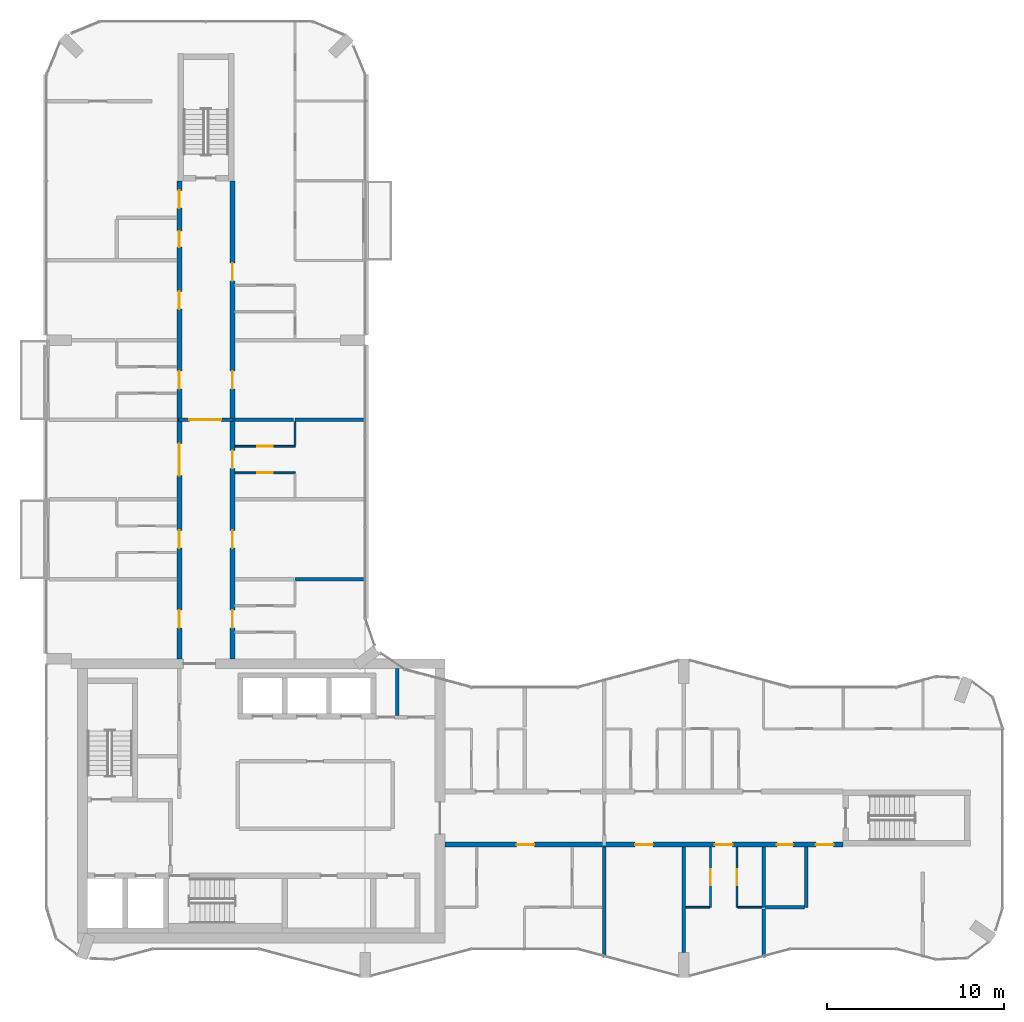
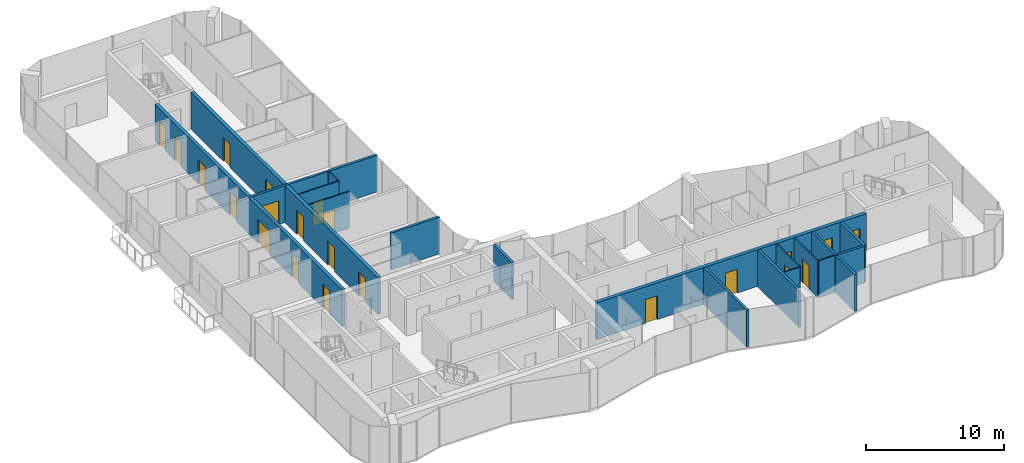
# One storey, part 11 of 16: 22 doors, 21 walls, 22 openings.
"""IFC4 building model written with IfcOpenShell, lengths in metres."""

import ifcopenshell
import ifcopenshell.guid

model = None  # the IFC model being written
_history = None  # IfcOwnerHistory: only IFC2X3 demands one
_inside = {}  # id of a spatial element -> (the spatial element, [elements in it])
_under = {}  # id of a project, library or spatial element -> (it, [spatial elements below it])
_declared = {}  # id of a project -> (the project, [libraries it declares])
_typed = {}  # id of a type object -> (the type object, [elements of that type])
_made_of = {}  # id of a material, layer set ... -> (it, [elements and type objects made of it])


def new_model(schema):
    """Start an empty IFC model of exactly this schema.

    Asked for "IFC4X3", IfcOpenShell would pick the latest addendum, in which some entities
    have other attributes; the version numbers below select the first issue.
    IFC2X3 requires an IfcOwnerHistory on every rooted entity: one is made here for all.
    """
    global model, _history
    if schema == "IFC4X3":
        model = ifcopenshell.file(schema_version=(4, 3, 0, 0))
    else:
        model = ifcopenshell.file(schema=schema)
    _inside.clear()
    _under.clear()
    _declared.clear()
    _typed.clear()
    _made_of.clear()
    _history = None
    if model.schema == "IFC2X3":
        org = make("IfcOrganization", Name="unknown")
        user = make(
            "IfcPersonAndOrganization",
            ThePerson=make("IfcPerson", FamilyName="unknown"),
            TheOrganization=org,
        )
        app = make(
            "IfcApplication",
            ApplicationDeveloper=org,
            Version="unknown",
            ApplicationFullName="unknown",
            ApplicationIdentifier="unknown",
        )
        _history = make(
            "IfcOwnerHistory",
            OwningUser=user,
            OwningApplication=app,
            ChangeAction="ADDED",
            CreationDate=0,
        )
    return model


def make(cls, **values):
    """One entity of the class cls with the attributes given. An attribute that is None is left unset."""
    return model.create_entity(
        cls, **{name: value for name, value in values.items() if value is not None}
    )


def rooted(cls, **values):
    """An entity with a GlobalId (a new one), such as an element, a storey or a relation."""
    return make(cls, GlobalId=ifcopenshell.guid.new(), OwnerHistory=_history, **values)


def si_unit(unit_type, name, prefix=None):
    """IfcSIUnit, for example si_unit("LENGTHUNIT", "METRE", prefix="MILLI")."""
    return make("IfcSIUnit", UnitType=unit_type, Prefix=prefix, Name=name)


def assignment(units):
    """IfcUnitAssignment: the units of a project."""
    return None if units is None else make("IfcUnitAssignment", Units=units)


def point(xyz):
    """IfcCartesianPoint."""
    return None if xyz is None else make("IfcCartesianPoint", Coordinates=xyz)


def direction(xyz):
    """IfcDirection."""
    return None if xyz is None else make("IfcDirection", DirectionRatios=xyz)


def frame(location, z_axis=None, x_axis=None):
    """IfcAxis2Placement3D, a coordinate frame: its origin and axes. An axis left out is left unset."""
    return make(
        "IfcAxis2Placement3D",
        Location=point(location),
        Axis=direction(z_axis),
        RefDirection=direction(x_axis),
    )


def frame_2d(location, x_axis=None):
    """IfcAxis2Placement2D, a coordinate frame in the plane: its origin and x axis."""
    return make(
        "IfcAxis2Placement2D", Location=point(location), RefDirection=direction(x_axis)
    )


def origin():
    """The frame at (0, 0, 0) with its axes left unset."""
    return frame((0.0, 0.0, 0.0))


def place(relative_to, where):
    """IfcLocalPlacement: puts the frame where relative to a parent placement (None: the world)."""
    return make(
        "IfcLocalPlacement", PlacementRelTo=relative_to, RelativePlacement=where
    )


def context(
    kind, dimensions, precision=None, world=None, true_north=None, identifier=None
):
    """IfcGeometricRepresentationContext, for example the 3D "Model" context."""
    return make(
        "IfcGeometricRepresentationContext",
        ContextIdentifier=identifier,
        ContextType=kind,
        CoordinateSpaceDimension=dimensions,
        Precision=precision,
        WorldCoordinateSystem=world,
        TrueNorth=true_north,
    )


def subcontext(parent, identifier, kind, view, scale=None):
    """IfcGeometricRepresentationSubContext, for example "Body" below "Model"."""
    return make(
        "IfcGeometricRepresentationSubContext",
        ContextIdentifier=identifier,
        ContextType=kind,
        ParentContext=parent,
        TargetScale=scale,
        TargetView=view,
    )


def project(units=None, contexts=None):
    """IfcProject with its units and contexts."""
    return rooted(
        "IfcProject",
        Name="project",
        RepresentationContexts=contexts,
        UnitsInContext=assignment(units),
    )


def spatial(cls, under=None, at=None, **own):
    """A site, building, storey or space (cls), placed at a placement, below another one or the project."""
    s = rooted(cls, ObjectPlacement=at, **own)
    if under is not None:
        _under.setdefault(under.id(), (under, []))[1].append(s)
    return s


def profile(cls, at=None, kind="AREA", **sizes):
    """A parametric profile (cls). Its sizes go by their IFC names, for example OverallWidth=200.0."""
    return make(cls, ProfileType=kind, Position=at, **sizes)


def rectangle(**sizes):
    """IfcRectangleProfileDef."""
    return profile("IfcRectangleProfileDef", **sizes)


def extrude(swept, where, along, depth):
    """IfcExtrudedAreaSolid: the profile swept, set in the frame where, extruded along a direction by depth."""
    return make(
        "IfcExtrudedAreaSolid",
        SweptArea=swept,
        Position=where,
        ExtrudedDirection=direction(along),
        Depth=depth,
    )


def shape(context_of_items, identifier, shape_type, items):
    """IfcShapeRepresentation: the items that make up one representation, for example the "Body"."""
    return make(
        "IfcShapeRepresentation",
        ContextOfItems=context_of_items,
        RepresentationIdentifier=identifier,
        RepresentationType=shape_type,
        Items=items,
    )


def material(Name=None, Category=None):
    """IfcMaterial."""
    return make("IfcMaterial", Name=Name, Category=Category)


def layer(
    of_material, thickness, ventilated=None, Name=None, Category=None, Priority=None
):
    """IfcMaterialLayer: one layer of a wall or slab, of a material (None: an air gap)."""
    return make(
        "IfcMaterialLayer",
        Material=of_material,
        LayerThickness=thickness,
        IsVentilated=ventilated,
        Name=Name,
        Category=Category,
        Priority=Priority,
    )


def layer_set(layers, Name=None):
    """IfcMaterialLayerSet."""
    return make("IfcMaterialLayerSet", MaterialLayers=layers, LayerSetName=Name)


def made_of(thing, what):
    """Note that an element or type object is made of a material, layer set ...; save() writes the relation."""
    if what is not None:
        _made_of.setdefault(what.id(), (what, []))[1].append(thing)
    return thing


def type_object(cls, material=None, **own):
    """A type object (cls), such as IfcWallType, which elements share."""
    return made_of(rooted(cls, **own), material)


def element(
    cls,
    number,
    at=None,
    inside=None,
    cuts=None,
    type_object=None,
    material=None,
    context=None,
    identifier="Body",
    shape_type=None,
    held_by="IfcProductDefinitionShape",
    body=None,
    shapes=None,
    **own,
):
    """One element of the class cls, such as IfcWall. Its Tag is "e" and its number.

    at: its placement. inside: the storey or other place that contains it. cuts: it is an
    opening in that element (IfcRelVoidsElement). A single representation is given by context,
    identifier, shape_type and body (its items); several are given by shapes. held_by: the class
    of the entity that holds the representations. save() writes the other relations.
    """
    e = rooted(cls, Tag="e%d" % number, ObjectPlacement=at, **own)
    if body is not None:
        shapes = [shape(context, identifier, shape_type, body)]
    if shapes is not None:
        e.Representation = make(held_by, Representations=shapes)
    if inside is not None:
        _inside.setdefault(inside.id(), (inside, []))[1].append(e)
    if cuts is not None:
        rooted(
            "IfcRelVoidsElement", RelatingBuildingElement=cuts, RelatedOpeningElement=e
        )
    if type_object is not None:
        _typed.setdefault(type_object.id(), (type_object, []))[1].append(e)
    return made_of(e, material)


def fill(opening, filler):
    """IfcRelFillsElement: the door or window that sits in an opening."""
    return rooted(
        "IfcRelFillsElement",
        RelatingOpeningElement=opening,
        RelatedBuildingElement=filler,
    )


def aggregate(whole, parts):
    """IfcRelAggregates: a whole, such as a stair, and the parts it consists of."""
    return rooted("IfcRelAggregates", RelatingObject=whole, RelatedObjects=parts)


def save(model, path):
    """Write the relations noted so far, then the file.

    IfcRelAggregates (storeys below a building ...), IfcRelContainedInSpatialStructure (elements
    in a storey), IfcRelDefinesByType, IfcRelAssociatesMaterial and IfcRelDeclares: one each for
    every whole, place, type object, material and project.
    """
    for whole, parts in _under.values():
        aggregate(whole, parts)
    for where, things in _inside.values():
        rooted(
            "IfcRelContainedInSpatialStructure",
            RelatedElements=things,
            RelatingStructure=where,
        )
    for kind, things in _typed.values():
        rooted("IfcRelDefinesByType", RelatedObjects=things, RelatingType=kind)
    for what, things in _made_of.values():
        rooted("IfcRelAssociatesMaterial", RelatedObjects=things, RelatingMaterial=what)
    for by, libraries in _declared.values():
        rooted("IfcRelDeclares", RelatingContext=by, RelatedDefinitions=libraries)
    model.write(path)


model = new_model("IFC4")

# Units and contexts
model_context = context("Model", 3, precision=1e-05, world=origin(), true_north=direction((0.0, 1.0)))
body_context = subcontext(model_context, "Body", "Model", "MODEL_VIEW")
ifc_project = project(units=[si_unit("LENGTHUNIT", "METRE"), si_unit("AREAUNIT", "SQUARE_METRE"), si_unit("VOLUMEUNIT", "CUBIC_METRE"), si_unit("PLANEANGLEUNIT", "RADIAN"), si_unit("MASSUNIT", "GRAM", prefix="KILO")], contexts=[model_context])

# Site, building, storey
site_placement = place(None, origin())
site = spatial("IfcSite", under=ifc_project, at=site_placement, CompositionType="ELEMENT")
building_placement = place(site_placement, origin())
building = spatial("IfcBuilding", under=site, at=building_placement, Name="Plateau Cross Towers", CompositionType="ELEMENT")
storey_placement = place(building_placement, frame((0.0, 0.0, 211.89990234375)))
storey = spatial("IfcBuildingStorey", under=building, at=storey_placement, Name="L55", CompositionType="ELEMENT", Elevation=211.89990234375)

# Wall
ifc_material_1 = material(Name="Concrete block, plastered both sides", Category="concrete")
ifc_layer_1 = layer(ifc_material_1, 0.199951171875)
ifc_layer_set_1 = layer_set([ifc_layer_1], Name="Concrete block, plastered both sides")
wall_type_1 = type_object("IfcWallType", Name="Core partition 200", PredefinedType="PARTITIONING", material=ifc_layer_set_1)
wall_1_placement = place(storey_placement, frame((19.800048828125, 14.800048828125, 0.0), z_axis=(0.0, 0.0, 1.0), x_axis=(0.0, 1.0, 0.0)))
element("IfcWall", 1, at=wall_1_placement, inside=storey, type_object=wall_type_1, Name="Core partition", PredefinedType="PARTITIONING", context=body_context, shape_type="SweptSolid", body=[
    extrude(rectangle(XDim=2.64990234375, YDim=0.199951171875, at=frame_2d((1.324951171875, 0.0))), origin(), (0.0, 0.0, 1.0), 3.25),
])

# Wall, openings, doors
ifc_material_2 = material(Name="Concrete C60/75", Category="concrete")
ifc_layer_2 = layer(ifc_material_2, 0.27490234375)
ifc_layer_set_2 = layer_set([ifc_layer_2], Name="Concrete C60/75")
wall_type_2 = type_object("IfcWallType", Name="Corridor wall 275", PredefinedType="SHEAR", material=ifc_layer_set_2)
wall_2_placement = place(storey_placement, frame((22.5, 7.5, 0.0), z_axis=(0.0, 0.0, 1.0), x_axis=(1.0, 0.0, 0.0)))
wall_2 = element("IfcWall", 2, at=wall_2_placement, inside=storey, type_object=wall_type_2, Name="A-cw-S1@L55", PredefinedType="SHEAR", context=body_context, shape_type="SweptSolid", body=[
    extrude(rectangle(XDim=22.5, YDim=0.27490234375, at=frame_2d((11.25, 0.0))), origin(), (0.0, 0.0, 1.0), 3.25),
])
opening_1_placement = place(wall_2_placement, frame((4.050048828125, 0.0, 0.0)))
opening_1 = element("IfcOpeningElement", 3, at=opening_1_placement, cuts=wall_2, Name="Opening 55-01", PredefinedType="OPENING", context=body_context, shape_type="SweptSolid", body=[
    extrude(rectangle(XDim=1.0, YDim=2.10009765625, at=frame_2d((0.5, 1.050048828125))), frame((0.0, 0.1474609375, 0.0), z_axis=(0.0, -1.0, 0.0), x_axis=(1.0, 0.0, 0.0)), (0.0, 0.0, 1.0), 0.294921875),
])
opening_2_placement = place(wall_2_placement, frame((10.75, 0.0, 0.0)))
opening_2 = element("IfcOpeningElement", 4, at=opening_2_placement, cuts=wall_2, Name="Opening 55-02", PredefinedType="OPENING", context=body_context, shape_type="SweptSolid", body=[
    extrude(rectangle(XDim=1.0, YDim=2.10009765625, at=frame_2d((0.5, 1.050048828125))), frame((0.0, 0.1474609375, 0.0), z_axis=(0.0, -1.0, 0.0), x_axis=(1.0, 0.0, 0.0)), (0.0, 0.0, 1.0), 0.294921875),
])
opening_3_placement = place(wall_2_placement, frame((15.25, 0.0, 0.0)))
opening_3 = element("IfcOpeningElement", 5, at=opening_3_placement, cuts=wall_2, Name="Opening 55-03", PredefinedType="OPENING", context=body_context, shape_type="SweptSolid", body=[
    extrude(rectangle(XDim=1.0, YDim=2.10009765625, at=frame_2d((0.5, 1.050048828125))), frame((0.0, 0.1474609375, 0.0), z_axis=(0.0, -1.0, 0.0), x_axis=(1.0, 0.0, 0.0)), (0.0, 0.0, 1.0), 0.294921875),
])
opening_4_placement = place(wall_2_placement, frame((18.75, 0.0, 0.0)))
opening_4 = element("IfcOpeningElement", 6, at=opening_4_placement, cuts=wall_2, Name="Opening 55-04", PredefinedType="OPENING", context=body_context, shape_type="SweptSolid", body=[
    extrude(rectangle(XDim=0.89990234375, YDim=2.10009765625, at=frame_2d((0.449951171875, 1.050048828125))), frame((0.0, 0.1474609375, 0.0), z_axis=(0.0, -1.0, 0.0), x_axis=(1.0, 0.0, 0.0)), (0.0, 0.0, 1.0), 0.294921875),
])
opening_5_placement = place(wall_2_placement, frame((20.949951171875, 0.0, 0.0)))
opening_5 = element("IfcOpeningElement", 7, at=opening_5_placement, cuts=wall_2, Name="Opening 55-05", PredefinedType="OPENING", context=body_context, shape_type="SweptSolid", body=[
    extrude(rectangle(XDim=1.0, YDim=2.10009765625, at=frame_2d((0.5, 1.050048828125))), frame((0.0, 0.1474609375, 0.0), z_axis=(0.0, -1.0, 0.0), x_axis=(1.0, 0.0, 0.0)), (0.0, 0.0, 1.0), 0.294921875),
])
ifc_material_3 = material(Name="Timber, fire-resisting leaf", Category="wood")
door_type_1 = type_object("IfcDoorType", Name="Flat entrance door 1000", OperationType="NOTDEFINED", PredefinedType="DOOR", material=ifc_material_3)
door_1_placement = place(opening_1_placement, origin())
door_1 = element("IfcDoor", 8, at=door_1_placement, inside=storey, type_object=door_type_1, Name="Door 55-01", OperationType="SINGLE_SWING_LEFT", OverallHeight=2.10009765625, OverallWidth=1.0, PredefinedType="DOOR", context=body_context, shape_type="SweptSolid", body=[
    extrude(rectangle(XDim=1.0, YDim=2.10009765625, at=frame_2d((0.5, 1.050048828125))), frame((0.0, 0.02490234375, 0.0), z_axis=(0.0, -1.0, 0.0), x_axis=(1.0, 0.0, 0.0)), (0.0, 0.0, 1.0), 0.050048828125),
])
fill(opening_1, door_1)
door_2_placement = place(opening_2_placement, origin())
door_2 = element("IfcDoor", 9, at=door_2_placement, inside=storey, type_object=door_type_1, Name="Door 55-02", OperationType="SINGLE_SWING_LEFT", OverallHeight=2.10009765625, OverallWidth=1.0, PredefinedType="DOOR", context=body_context, shape_type="SweptSolid", body=[
    extrude(rectangle(XDim=1.0, YDim=2.10009765625, at=frame_2d((0.5, 1.050048828125))), frame((0.0, 0.02490234375, 0.0), z_axis=(0.0, -1.0, 0.0), x_axis=(1.0, 0.0, 0.0)), (0.0, 0.0, 1.0), 0.050048828125),
])
fill(opening_2, door_2)
door_3_placement = place(opening_3_placement, origin())
door_3 = element("IfcDoor", 10, at=door_3_placement, inside=storey, type_object=door_type_1, Name="Door 55-03", OperationType="SINGLE_SWING_RIGHT", OverallHeight=2.10009765625, OverallWidth=1.0, PredefinedType="DOOR", context=body_context, shape_type="SweptSolid", body=[
    extrude(rectangle(XDim=1.0, YDim=2.10009765625, at=frame_2d((0.5, 1.050048828125))), frame((0.0, 0.02490234375, 0.0), z_axis=(0.0, -1.0, 0.0), x_axis=(1.0, 0.0, 0.0)), (0.0, 0.0, 1.0), 0.050048828125),
])
fill(opening_3, door_3)
door_4_placement = place(opening_5_placement, origin())
door_4 = element("IfcDoor", 11, at=door_4_placement, inside=storey, type_object=door_type_1, Name="Door 55-05", OperationType="SINGLE_SWING_RIGHT", OverallHeight=2.10009765625, OverallWidth=1.0, PredefinedType="DOOR", context=body_context, shape_type="SweptSolid", body=[
    extrude(rectangle(XDim=1.0, YDim=2.10009765625, at=frame_2d((0.5, 1.050048828125))), frame((0.0, 0.02490234375, 0.0), z_axis=(0.0, -1.0, 0.0), x_axis=(1.0, 0.0, 0.0)), (0.0, 0.0, 1.0), 0.050048828125),
])
fill(opening_5, door_4)
door_type_2 = type_object("IfcDoorType", Name="Flat floor service door 900", OperationType="NOTDEFINED", PredefinedType="DOOR", material=ifc_material_3)
door_5_placement = place(opening_4_placement, origin())
door_5 = element("IfcDoor", 12, at=door_5_placement, inside=storey, type_object=door_type_2, Name="Door 55-04", OperationType="SINGLE_SWING_RIGHT", OverallHeight=2.10009765625, OverallWidth=0.89990234375, PredefinedType="DOOR", context=body_context, shape_type="SweptSolid", body=[
    extrude(rectangle(XDim=0.89990234375, YDim=2.10009765625, at=frame_2d((0.449951171875, 1.050048828125))), frame((0.0, 0.02490234375, 0.0), z_axis=(0.0, -1.0, 0.0), x_axis=(1.0, 0.0, 0.0)), (0.0, 0.0, 1.0), 0.050048828125),
])
fill(opening_4, door_5)

wall_3_placement = place(storey_placement, frame((7.5, 18.0, 0.0), z_axis=(0.0, 0.0, 1.0), x_axis=(0.0, 1.0, 0.0)))
wall_3 = element("IfcWall", 13, at=wall_3_placement, inside=storey, type_object=wall_type_2, Name="A-cw-W1@L55", PredefinedType="SHEAR", context=body_context, shape_type="SweptSolid", body=[
    extrude(rectangle(XDim=27.0, YDim=0.27490234375, at=frame_2d((13.5, 0.0))), origin(), (0.0, 0.0, 1.0), 3.25),
])
opening_6_placement = place(wall_3_placement, frame((1.75, 0.0, 0.0)))
opening_6 = element("IfcOpeningElement", 14, at=opening_6_placement, cuts=wall_3, Name="Opening 55-10", PredefinedType="OPENING", context=body_context, shape_type="SweptSolid", body=[
    extrude(rectangle(XDim=1.0, YDim=2.10009765625, at=frame_2d((0.5, 1.050048828125))), frame((0.0, 0.1474609375, 0.0), z_axis=(0.0, -1.0, 0.0), x_axis=(1.0, 0.0, 0.0)), (0.0, 0.0, 1.0), 0.294921875),
])
opening_7_placement = place(wall_3_placement, frame((6.25, 0.0, 0.0)))
opening_7 = element("IfcOpeningElement", 15, at=opening_7_placement, cuts=wall_3, Name="Opening 55-11", PredefinedType="OPENING", context=body_context, shape_type="SweptSolid", body=[
    extrude(rectangle(XDim=1.0, YDim=2.10009765625, at=frame_2d((0.5, 1.050048828125))), frame((0.0, 0.1474609375, 0.0), z_axis=(0.0, -1.0, 0.0), x_axis=(1.0, 0.0, 0.0)), (0.0, 0.0, 1.0), 0.294921875),
])
opening_8_placement = place(wall_3_placement, frame((10.35009765625, 0.0, 0.0)))
opening_8 = element("IfcOpeningElement", 16, at=opening_8_placement, cuts=wall_3, Name="Opening 55-12", PredefinedType="OPENING", context=body_context, shape_type="SweptSolid", body=[
    extrude(rectangle(XDim=1.800048828125, YDim=2.10009765625, at=frame_2d((0.89990234375, 1.050048828125))), frame((0.0, 0.1474609375, 0.0), z_axis=(0.0, -1.0, 0.0), x_axis=(1.0, 0.0, 0.0)), (0.0, 0.0, 1.0), 0.294921875),
])
opening_9_placement = place(wall_3_placement, frame((15.25, 0.0, 0.0)))
opening_9 = element("IfcOpeningElement", 17, at=opening_9_placement, cuts=wall_3, Name="Opening 55-13", PredefinedType="OPENING", context=body_context, shape_type="SweptSolid", body=[
    extrude(rectangle(XDim=1.0, YDim=2.10009765625, at=frame_2d((0.5, 1.050048828125))), frame((0.0, 0.1474609375, 0.0), z_axis=(0.0, -1.0, 0.0), x_axis=(1.0, 0.0, 0.0)), (0.0, 0.0, 1.0), 0.294921875),
])
opening_10_placement = place(wall_3_placement, frame((19.75, 0.0, 0.0)))
opening_10 = element("IfcOpeningElement", 18, at=opening_10_placement, cuts=wall_3, Name="Opening 55-14", PredefinedType="OPENING", context=body_context, shape_type="SweptSolid", body=[
    extrude(rectangle(XDim=1.0, YDim=2.10009765625, at=frame_2d((0.5, 1.050048828125))), frame((0.0, 0.1474609375, 0.0), z_axis=(0.0, -1.0, 0.0), x_axis=(1.0, 0.0, 0.0)), (0.0, 0.0, 1.0), 0.294921875),
])
opening_11_placement = place(wall_3_placement, frame((23.25, 0.0, 0.0)))
opening_11 = element("IfcOpeningElement", 19, at=opening_11_placement, cuts=wall_3, Name="Opening 55-15", PredefinedType="OPENING", context=body_context, shape_type="SweptSolid", body=[
    extrude(rectangle(XDim=0.89990234375, YDim=2.10009765625, at=frame_2d((0.449951171875, 1.050048828125))), frame((0.0, 0.1474609375, 0.0), z_axis=(0.0, -1.0, 0.0), x_axis=(1.0, 0.0, 0.0)), (0.0, 0.0, 1.0), 0.294921875),
])
opening_12_placement = place(wall_3_placement, frame((25.449951171875, 0.0, 0.0)))
opening_12 = element("IfcOpeningElement", 20, at=opening_12_placement, cuts=wall_3, Name="Opening 55-16", PredefinedType="OPENING", context=body_context, shape_type="SweptSolid", body=[
    extrude(rectangle(XDim=1.0, YDim=2.10009765625, at=frame_2d((0.5, 1.050048828125))), frame((0.0, 0.1474609375, 0.0), z_axis=(0.0, -1.0, 0.0), x_axis=(1.0, 0.0, 0.0)), (0.0, 0.0, 1.0), 0.294921875),
])
door_6_placement = place(opening_6_placement, origin())
door_6 = element("IfcDoor", 21, at=door_6_placement, inside=storey, type_object=door_type_1, Name="Door 55-10", OperationType="SINGLE_SWING_LEFT", OverallHeight=2.10009765625, OverallWidth=1.0, PredefinedType="DOOR", context=body_context, shape_type="SweptSolid", body=[
    extrude(rectangle(XDim=1.0, YDim=2.10009765625, at=frame_2d((0.5, 1.050048828125))), frame((0.0, 0.02490234375, 0.0), z_axis=(0.0, -1.0, 0.0), x_axis=(1.0, 0.0, 0.0)), (0.0, 0.0, 1.0), 0.050048828125),
])
fill(opening_6, door_6)
door_7_placement = place(opening_7_placement, origin())
door_7 = element("IfcDoor", 22, at=door_7_placement, inside=storey, type_object=door_type_1, Name="Door 55-11", OperationType="SINGLE_SWING_LEFT", OverallHeight=2.10009765625, OverallWidth=1.0, PredefinedType="DOOR", context=body_context, shape_type="SweptSolid", body=[
    extrude(rectangle(XDim=1.0, YDim=2.10009765625, at=frame_2d((0.5, 1.050048828125))), frame((0.0, 0.02490234375, 0.0), z_axis=(0.0, -1.0, 0.0), x_axis=(1.0, 0.0, 0.0)), (0.0, 0.0, 1.0), 0.050048828125),
])
fill(opening_7, door_7)
door_8_placement = place(opening_9_placement, origin())
door_8 = element("IfcDoor", 23, at=door_8_placement, inside=storey, type_object=door_type_1, Name="Door 55-13", OperationType="SINGLE_SWING_RIGHT", OverallHeight=2.10009765625, OverallWidth=1.0, PredefinedType="DOOR", context=body_context, shape_type="SweptSolid", body=[
    extrude(rectangle(XDim=1.0, YDim=2.10009765625, at=frame_2d((0.5, 1.050048828125))), frame((0.0, 0.02490234375, 0.0), z_axis=(0.0, -1.0, 0.0), x_axis=(1.0, 0.0, 0.0)), (0.0, 0.0, 1.0), 0.050048828125),
])
fill(opening_9, door_8)
door_9_placement = place(opening_10_placement, origin())
door_9 = element("IfcDoor", 24, at=door_9_placement, inside=storey, type_object=door_type_1, Name="Door 55-14", OperationType="SINGLE_SWING_RIGHT", OverallHeight=2.10009765625, OverallWidth=1.0, PredefinedType="DOOR", context=body_context, shape_type="SweptSolid", body=[
    extrude(rectangle(XDim=1.0, YDim=2.10009765625, at=frame_2d((0.5, 1.050048828125))), frame((0.0, 0.02490234375, 0.0), z_axis=(0.0, -1.0, 0.0), x_axis=(1.0, 0.0, 0.0)), (0.0, 0.0, 1.0), 0.050048828125),
])
fill(opening_10, door_9)
door_10_placement = place(opening_12_placement, origin())
door_10 = element("IfcDoor", 25, at=door_10_placement, inside=storey, type_object=door_type_1, Name="Door 55-16", OperationType="SINGLE_SWING_RIGHT", OverallHeight=2.10009765625, OverallWidth=1.0, PredefinedType="DOOR", context=body_context, shape_type="SweptSolid", body=[
    extrude(rectangle(XDim=1.0, YDim=2.10009765625, at=frame_2d((0.5, 1.050048828125))), frame((0.0, 0.02490234375, 0.0), z_axis=(0.0, -1.0, 0.0), x_axis=(1.0, 0.0, 0.0)), (0.0, 0.0, 1.0), 0.050048828125),
])
fill(opening_12, door_10)
ifc_material_4 = material(Name="Timber, fire-resisting leaves", Category="wood")
door_type_3 = type_object("IfcDoorType", Name="Flat floor fire door pair 1800", OperationType="NOTDEFINED", PredefinedType="DOOR", material=ifc_material_4)
door_11_placement = place(opening_8_placement, origin())
door_11 = element("IfcDoor", 26, at=door_11_placement, inside=storey, type_object=door_type_3, Name="Door 55-12", OperationType="SINGLE_SWING_LEFT", OverallHeight=2.10009765625, OverallWidth=1.800048828125, PredefinedType="DOOR", context=body_context, shape_type="SweptSolid", body=[
    extrude(rectangle(XDim=1.800048828125, YDim=2.10009765625, at=frame_2d((0.89990234375, 1.050048828125))), frame((0.0, 0.02490234375, 0.0), z_axis=(0.0, -1.0, 0.0), x_axis=(1.0, 0.0, 0.0)), (0.0, 0.0, 1.0), 0.050048828125),
])
fill(opening_8, door_11)
door_12_placement = place(opening_11_placement, origin())
door_12 = element("IfcDoor", 27, at=door_12_placement, inside=storey, type_object=door_type_2, Name="Door 55-15", OperationType="SINGLE_SWING_RIGHT", OverallHeight=2.10009765625, OverallWidth=0.89990234375, PredefinedType="DOOR", context=body_context, shape_type="SweptSolid", body=[
    extrude(rectangle(XDim=0.89990234375, YDim=2.10009765625, at=frame_2d((0.449951171875, 1.050048828125))), frame((0.0, 0.02490234375, 0.0), z_axis=(0.0, -1.0, 0.0), x_axis=(1.0, 0.0, 0.0)), (0.0, 0.0, 1.0), 0.050048828125),
])
fill(opening_11, door_12)

wall_4_placement = place(storey_placement, frame((10.5, 18.0, 0.0), z_axis=(0.0, 0.0, 1.0), x_axis=(0.0, 1.0, 0.0)))
wall_4 = element("IfcWall", 28, at=wall_4_placement, inside=storey, type_object=wall_type_2, Name="A-cw-W2@L55", PredefinedType="SHEAR", context=body_context, shape_type="SweptSolid", body=[
    extrude(rectangle(XDim=27.0, YDim=0.27490234375, at=frame_2d((13.5, 0.0))), origin(), (0.0, 0.0, 1.0), 3.25),
])
opening_13_placement = place(wall_4_placement, frame((1.75, 0.0, 0.0)))
opening_13 = element("IfcOpeningElement", 29, at=opening_13_placement, cuts=wall_4, Name="Opening 55-17", PredefinedType="OPENING", context=body_context, shape_type="SweptSolid", body=[
    extrude(rectangle(XDim=1.0, YDim=2.10009765625, at=frame_2d((0.5, 1.050048828125))), frame((0.0, 0.1474609375, 0.0), z_axis=(0.0, -1.0, 0.0), x_axis=(1.0, 0.0, 0.0)), (0.0, 0.0, 1.0), 0.294921875),
])
opening_14_placement = place(wall_4_placement, frame((6.25, 0.0, 0.0)))
opening_14 = element("IfcOpeningElement", 30, at=opening_14_placement, cuts=wall_4, Name="Opening 55-18", PredefinedType="OPENING", context=body_context, shape_type="SweptSolid", body=[
    extrude(rectangle(XDim=1.0, YDim=2.10009765625, at=frame_2d((0.5, 1.050048828125))), frame((0.0, 0.1474609375, 0.0), z_axis=(0.0, -1.0, 0.0), x_axis=(1.0, 0.0, 0.0)), (0.0, 0.0, 1.0), 0.294921875),
])
opening_15_placement = place(wall_4_placement, frame((10.75, 0.0, 0.0)))
opening_15 = element("IfcOpeningElement", 31, at=opening_15_placement, cuts=wall_4, Name="Opening 55-19", PredefinedType="OPENING", context=body_context, shape_type="SweptSolid", body=[
    extrude(rectangle(XDim=1.0, YDim=2.10009765625, at=frame_2d((0.5, 1.050048828125))), frame((0.0, 0.1474609375, 0.0), z_axis=(0.0, -1.0, 0.0), x_axis=(1.0, 0.0, 0.0)), (0.0, 0.0, 1.0), 0.294921875),
])
opening_16_placement = place(wall_4_placement, frame((15.25, 0.0, 0.0)))
opening_16 = element("IfcOpeningElement", 32, at=opening_16_placement, cuts=wall_4, Name="Opening 55-20", PredefinedType="OPENING", context=body_context, shape_type="SweptSolid", body=[
    extrude(rectangle(XDim=1.0, YDim=2.10009765625, at=frame_2d((0.5, 1.050048828125))), frame((0.0, 0.1474609375, 0.0), z_axis=(0.0, -1.0, 0.0), x_axis=(1.0, 0.0, 0.0)), (0.0, 0.0, 1.0), 0.294921875),
])
opening_17_placement = place(wall_4_placement, frame((21.35009765625, 0.0, 0.0)))
opening_17 = element("IfcOpeningElement", 33, at=opening_17_placement, cuts=wall_4, Name="Opening 55-21", PredefinedType="OPENING", context=body_context, shape_type="SweptSolid", body=[
    extrude(rectangle(XDim=1.0, YDim=2.10009765625, at=frame_2d((0.5, 1.050048828125))), frame((0.0, 0.1474609375, 0.0), z_axis=(0.0, -1.0, 0.0), x_axis=(1.0, 0.0, 0.0)), (0.0, 0.0, 1.0), 0.294921875),
])
door_13_placement = place(opening_13_placement, origin())
door_13 = element("IfcDoor", 34, at=door_13_placement, inside=storey, type_object=door_type_1, Name="Door 55-17", OperationType="SINGLE_SWING_LEFT", OverallHeight=2.10009765625, OverallWidth=1.0, PredefinedType="DOOR", context=body_context, shape_type="SweptSolid", body=[
    extrude(rectangle(XDim=1.0, YDim=2.10009765625, at=frame_2d((0.5, 1.050048828125))), frame((0.0, 0.02490234375, 0.0), z_axis=(0.0, -1.0, 0.0), x_axis=(1.0, 0.0, 0.0)), (0.0, 0.0, 1.0), 0.050048828125),
])
fill(opening_13, door_13)
door_14_placement = place(opening_14_placement, origin())
door_14 = element("IfcDoor", 35, at=door_14_placement, inside=storey, type_object=door_type_1, Name="Door 55-18", OperationType="SINGLE_SWING_LEFT", OverallHeight=2.10009765625, OverallWidth=1.0, PredefinedType="DOOR", context=body_context, shape_type="SweptSolid", body=[
    extrude(rectangle(XDim=1.0, YDim=2.10009765625, at=frame_2d((0.5, 1.050048828125))), frame((0.0, 0.02490234375, 0.0), z_axis=(0.0, -1.0, 0.0), x_axis=(1.0, 0.0, 0.0)), (0.0, 0.0, 1.0), 0.050048828125),
])
fill(opening_14, door_14)
door_15_placement = place(opening_15_placement, origin())
door_15 = element("IfcDoor", 36, at=door_15_placement, inside=storey, type_object=door_type_1, Name="Door 55-19", OperationType="SINGLE_SWING_LEFT", OverallHeight=2.10009765625, OverallWidth=1.0, PredefinedType="DOOR", context=body_context, shape_type="SweptSolid", body=[
    extrude(rectangle(XDim=1.0, YDim=2.10009765625, at=frame_2d((0.5, 1.050048828125))), frame((0.0, 0.02490234375, 0.0), z_axis=(0.0, -1.0, 0.0), x_axis=(1.0, 0.0, 0.0)), (0.0, 0.0, 1.0), 0.050048828125),
])
fill(opening_15, door_15)
door_16_placement = place(opening_16_placement, origin())
door_16 = element("IfcDoor", 37, at=door_16_placement, inside=storey, type_object=door_type_1, Name="Door 55-20", OperationType="SINGLE_SWING_RIGHT", OverallHeight=2.10009765625, OverallWidth=1.0, PredefinedType="DOOR", context=body_context, shape_type="SweptSolid", body=[
    extrude(rectangle(XDim=1.0, YDim=2.10009765625, at=frame_2d((0.5, 1.050048828125))), frame((0.0, 0.02490234375, 0.0), z_axis=(0.0, -1.0, 0.0), x_axis=(1.0, 0.0, 0.0)), (0.0, 0.0, 1.0), 0.050048828125),
])
fill(opening_16, door_16)
door_17_placement = place(opening_17_placement, origin())
door_17 = element("IfcDoor", 38, at=door_17_placement, inside=storey, type_object=door_type_1, Name="Door 55-21", OperationType="SINGLE_SWING_RIGHT", OverallHeight=2.10009765625, OverallWidth=1.0, PredefinedType="DOOR", context=body_context, shape_type="SweptSolid", body=[
    extrude(rectangle(XDim=1.0, YDim=2.10009765625, at=frame_2d((0.5, 1.050048828125))), frame((0.0, 0.02490234375, 0.0), z_axis=(0.0, -1.0, 0.0), x_axis=(1.0, 0.0, 0.0)), (0.0, 0.0, 1.0), 0.050048828125),
])
fill(opening_17, door_17)

# Walls
ifc_material_5 = material(Name="Gypsum board on steel studs", Category="steel")
ifc_layer_3 = layer(ifc_material_5, 0.10009765625)
ifc_layer_set_3 = layer_set([ifc_layer_3], Name="Gypsum board on steel studs")
wall_type_3 = type_object("IfcWallType", Name="Flat partition 100", PredefinedType="PARTITIONING", material=ifc_layer_set_3)
for number, where, z_axis, x_axis, name in (
    (39, (36.10009765625, 3.96240234375, 0.0), (0.0, 0.0, 1.0), (1.0, 0.0, 0.0), "Partition wall"),
    (40, (39.050048828125, 3.96240234375, 0.0), (0.0, 0.0, 1.0), (1.0, 0.0, 0.0), "Partition wall"),
):
    element("IfcWall", number, at=place(storey_placement, frame(where, z_axis=z_axis, x_axis=x_axis)), inside=storey, type_object=wall_type_3, Name=name, PredefinedType="PARTITIONING", context=body_context, shape_type="SweptSolid", body=[
        extrude(rectangle(XDim=1.349853515625, YDim=0.10009765625, at=frame_2d((0.6748046875, 0.0))), origin(), (0.0, 0.0, 1.0), 3.25),
    ])

# Wall, opening, door
wall_5_placement = place(storey_placement, frame((14.03759765625, 28.5, 0.0), z_axis=(0.0, 0.0, 1.0), x_axis=(-1.0, 0.0, 0.0)))
wall_5 = element("IfcWall", 41, at=wall_5_placement, inside=storey, type_object=wall_type_3, Name="Partition wall", PredefinedType="PARTITIONING", context=body_context, shape_type="SweptSolid", body=[
    extrude(rectangle(XDim=3.400146484375, YDim=0.10009765625, at=frame_2d((1.7001953125, 0.0))), origin(), (0.0, 0.0, 1.0), 3.25),
])
opening_18_placement = place(wall_5_placement, frame((1.25, 0.0, 0.0)))
opening_18 = element("IfcOpeningElement", 42, at=opening_18_placement, cuts=wall_5, Name="Opening 55-46", PredefinedType="OPENING", context=body_context, shape_type="SweptSolid", body=[
    extrude(rectangle(XDim=0.89990234375, YDim=2.10009765625, at=frame_2d((0.449951171875, 1.050048828125))), frame((0.0, 0.06005859375, 0.0), z_axis=(0.0, -1.0, 0.0), x_axis=(1.0, 0.0, 0.0)), (0.0, 0.0, 1.0), 0.1201171875),
])
ifc_material_6 = material(Name="Timber leaf", Category="wood")
door_type_4 = type_object("IfcDoorType", Name="Flat room door 900", OperationType="NOTDEFINED", PredefinedType="DOOR", material=ifc_material_6)
door_18_placement = place(opening_18_placement, origin())
door_18 = element("IfcDoor", 43, at=door_18_placement, inside=storey, type_object=door_type_4, Name="Door 55-46", OperationType="SINGLE_SWING_LEFT", OverallHeight=2.10009765625, OverallWidth=0.89990234375, PredefinedType="DOOR", context=body_context, shape_type="SweptSolid", body=[
    extrude(rectangle(XDim=0.89990234375, YDim=2.10009765625, at=frame_2d((0.449951171875, 1.050048828125))), frame((0.0, 0.02490234375, 0.0), z_axis=(0.0, -1.0, 0.0), x_axis=(1.0, 0.0, 0.0)), (0.0, 0.0, 1.0), 0.050048828125),
])
fill(opening_18, door_18)

wall_6_placement = place(storey_placement, frame((10.637451171875, 30.0, 0.0), z_axis=(0.0, 0.0, 1.0), x_axis=(1.0, 0.0, 0.0)))
wall_6 = element("IfcWall", 44, at=wall_6_placement, inside=storey, type_object=wall_type_3, Name="Partition wall", PredefinedType="PARTITIONING", context=body_context, shape_type="SweptSolid", body=[
    extrude(rectangle(XDim=3.400146484375, YDim=0.10009765625, at=frame_2d((1.7001953125, 0.0))), origin(), (0.0, 0.0, 1.0), 3.25),
])
opening_19_placement = place(wall_6_placement, frame((1.25, 0.0, 0.0)))
opening_19 = element("IfcOpeningElement", 45, at=opening_19_placement, cuts=wall_6, Name="Opening 55-47", PredefinedType="OPENING", context=body_context, shape_type="SweptSolid", body=[
    extrude(rectangle(XDim=0.89990234375, YDim=2.10009765625, at=frame_2d((0.449951171875, 1.050048828125))), frame((0.0, 0.06005859375, 0.0), z_axis=(0.0, -1.0, 0.0), x_axis=(1.0, 0.0, 0.0)), (0.0, 0.0, 1.0), 0.1201171875),
])
door_19_placement = place(opening_19_placement, origin())
door_19 = element("IfcDoor", 46, at=door_19_placement, inside=storey, type_object=door_type_4, Name="Door 55-47", OperationType="SINGLE_SWING_LEFT", OverallHeight=2.10009765625, OverallWidth=0.89990234375, PredefinedType="DOOR", context=body_context, shape_type="SweptSolid", body=[
    extrude(rectangle(XDim=0.89990234375, YDim=2.10009765625, at=frame_2d((0.449951171875, 1.050048828125))), frame((0.0, 0.02490234375, 0.0), z_axis=(0.0, -1.0, 0.0), x_axis=(1.0, 0.0, 0.0)), (0.0, 0.0, 1.0), 0.050048828125),
])
fill(opening_19, door_19)

# Wall
wall_7_placement = place(storey_placement, frame((14.03759765625, 30.050048828125, 0.0), z_axis=(0.0, 0.0, 1.0), x_axis=(0.0, 1.0, 0.0)))
element("IfcWall", 47, at=wall_7_placement, inside=storey, type_object=wall_type_3, Name="Partition wall", PredefinedType="PARTITIONING", context=body_context, shape_type="SweptSolid", body=[
    extrude(rectangle(XDim=1.349853515625, YDim=0.10009765625, at=frame_2d((0.6748046875, 0.0))), origin(), (0.0, 0.0, 1.0), 3.25),
])

# Wall, opening, door
wall_8_placement = place(storey_placement, frame((37.5, 3.96240234375, 0.0), z_axis=(0.0, 0.0, 1.0), x_axis=(0.0, 1.0, 0.0)))
wall_8 = element("IfcWall", 48, at=wall_8_placement, inside=storey, type_object=wall_type_3, Name="Partition wall", PredefinedType="PARTITIONING", context=body_context, shape_type="SweptSolid", body=[
    extrude(rectangle(XDim=3.400146484375, YDim=0.10009765625, at=frame_2d((1.7001953125, 0.0))), origin(), (0.0, 0.0, 1.0), 3.25),
])
opening_20_placement = place(wall_8_placement, frame((1.25, 0.0, 0.0)))
opening_20 = element("IfcOpeningElement", 49, at=opening_20_placement, cuts=wall_8, Name="Opening 55-29", PredefinedType="OPENING", context=body_context, shape_type="SweptSolid", body=[
    extrude(rectangle(XDim=0.89990234375, YDim=2.10009765625, at=frame_2d((0.449951171875, 1.050048828125))), frame((0.0, 0.06005859375, 0.0), z_axis=(0.0, -1.0, 0.0), x_axis=(1.0, 0.0, 0.0)), (0.0, 0.0, 1.0), 0.1201171875),
])
door_20_placement = place(opening_20_placement, origin())
door_20 = element("IfcDoor", 50, at=door_20_placement, inside=storey, type_object=door_type_4, Name="Door 55-29", OperationType="SINGLE_SWING_LEFT", OverallHeight=2.10009765625, OverallWidth=0.89990234375, PredefinedType="DOOR", context=body_context, shape_type="SweptSolid", body=[
    extrude(rectangle(XDim=0.89990234375, YDim=2.10009765625, at=frame_2d((0.449951171875, 1.050048828125))), frame((0.0, 0.02490234375, 0.0), z_axis=(0.0, -1.0, 0.0), x_axis=(1.0, 0.0, 0.0)), (0.0, 0.0, 1.0), 0.050048828125),
])
fill(opening_20, door_20)

wall_9_placement = place(storey_placement, frame((39.0, 7.362548828125, 0.0), z_axis=(0.0, 0.0, 1.0), x_axis=(0.0, -1.0, 0.0)))
wall_9 = element("IfcWall", 51, at=wall_9_placement, inside=storey, type_object=wall_type_3, Name="Partition wall", PredefinedType="PARTITIONING", context=body_context, shape_type="SweptSolid", body=[
    extrude(rectangle(XDim=3.400146484375, YDim=0.10009765625, at=frame_2d((1.7001953125, 0.0))), origin(), (0.0, 0.0, 1.0), 3.25),
])
opening_21_placement = place(wall_9_placement, frame((1.25, 0.0, 0.0)))
opening_21 = element("IfcOpeningElement", 52, at=opening_21_placement, cuts=wall_9, Name="Opening 55-30", PredefinedType="OPENING", context=body_context, shape_type="SweptSolid", body=[
    extrude(rectangle(XDim=0.89990234375, YDim=2.10009765625, at=frame_2d((0.449951171875, 1.050048828125))), frame((0.0, 0.06005859375, 0.0), z_axis=(0.0, -1.0, 0.0), x_axis=(1.0, 0.0, 0.0)), (0.0, 0.0, 1.0), 0.1201171875),
])
door_21_placement = place(opening_21_placement, origin())
door_21 = element("IfcDoor", 53, at=door_21_placement, inside=storey, type_object=door_type_4, Name="Door 55-30", OperationType="SINGLE_SWING_LEFT", OverallHeight=2.10009765625, OverallWidth=0.89990234375, PredefinedType="DOOR", context=body_context, shape_type="SweptSolid", body=[
    extrude(rectangle(XDim=0.89990234375, YDim=2.10009765625, at=frame_2d((0.449951171875, 1.050048828125))), frame((0.0, 0.02490234375, 0.0), z_axis=(0.0, -1.0, 0.0), x_axis=(1.0, 0.0, 0.0)), (0.0, 0.0, 1.0), 0.050048828125),
])
fill(opening_21, door_21)

# Walls
ifc_material_7 = material(Name="Gypsum board on steel studs, two layers each side", Category="steel")
ifc_layer_4 = layer(ifc_material_7, 0.199951171875)
ifc_layer_set_4 = layer_set([ifc_layer_4], Name="Gypsum board on steel studs, two layers each side")
wall_type_4 = type_object("IfcWallType", Name="Flat party wall 200", PredefinedType="PARTITIONING", material=ifc_layer_set_4)
wall_10_placement = place(storey_placement, frame((40.60009765625, 3.96240234375, 0.0), z_axis=(0.0, 0.0, 1.0), x_axis=(1.0, 0.0, 0.0)))
element("IfcWall", 54, at=wall_10_placement, inside=storey, type_object=wall_type_4, Name="Party wall", PredefinedType="PARTITIONING", context=body_context, shape_type="SweptSolid", body=[
    extrude(rectangle(XDim=2.199951171875, YDim=0.199951171875, at=frame_2d((1.10009765625, 0.0))), origin(), (0.0, 0.0, 1.0), 3.25),
])
wall_11_placement = place(storey_placement, frame((14.03759765625, 22.5, 0.0), z_axis=(0.0, 0.0, 1.0), x_axis=(1.0, 0.0, 0.0)))
element("IfcWall", 55, at=wall_11_placement, inside=storey, type_object=wall_type_4, Name="Party wall", PredefinedType="PARTITIONING", context=body_context, shape_type="SweptSolid", body=[
    extrude(rectangle(XDim=4.04248046875, YDim=0.199951171875, at=frame_2d((2.021240234375, 0.0))), origin(), (0.0, 0.0, 1.0), 3.25),
])
wall_12_placement = place(storey_placement, frame((13.9375, 31.5, 0.0), z_axis=(0.0, 0.0, 1.0), x_axis=(-1.0, 0.0, 0.0)))
element("IfcWall", 56, at=wall_12_placement, inside=storey, type_object=wall_type_4, Name="Party wall", PredefinedType="PARTITIONING", context=body_context, shape_type="SweptSolid", body=[
    extrude(rectangle(XDim=3.300048828125, YDim=0.199951171875, at=frame_2d((1.64990234375, 0.0))), origin(), (0.0, 0.0, 1.0), 3.25),
])
wall_13_placement = place(storey_placement, frame((14.03759765625, 31.5, 0.0), z_axis=(0.0, 0.0, 1.0), x_axis=(1.0, 0.0, 0.0)))
element("IfcWall", 57, at=wall_13_placement, inside=storey, type_object=wall_type_4, Name="Party wall", PredefinedType="PARTITIONING", context=body_context, shape_type="SweptSolid", body=[
    extrude(rectangle(XDim=4.04248046875, YDim=0.199951171875, at=frame_2d((2.021240234375, 0.0))), origin(), (0.0, 0.0, 1.0), 3.25),
])
wall_14_placement = place(storey_placement, frame((31.5, 1.122314453125, 0.0), z_axis=(0.0, 0.0, 1.0), x_axis=(0.0, 1.0, 0.0)))
element("IfcWall", 58, at=wall_14_placement, inside=storey, type_object=wall_type_4, Name="Party wall", PredefinedType="PARTITIONING", context=body_context, shape_type="SweptSolid", body=[
    extrude(rectangle(XDim=6.240234375, YDim=0.199951171875, at=frame_2d((3.1201171875, 0.0))), origin(), (0.0, 0.0, 1.0), 3.25),
])
wall_15_placement = place(storey_placement, frame((36.0, 1.39990234375, 0.0), z_axis=(0.0, 0.0, 1.0), x_axis=(0.0, 1.0, 0.0)))
element("IfcWall", 59, at=wall_15_placement, inside=storey, type_object=wall_type_4, Name="Party wall", PredefinedType="PARTITIONING", context=body_context, shape_type="SweptSolid", body=[
    extrude(rectangle(XDim=5.962646484375, YDim=0.199951171875, at=frame_2d((2.9814453125, 0.0))), origin(), (0.0, 0.0, 1.0), 3.25),
])
wall_16_placement = place(storey_placement, frame((40.5, 3.862548828125, 0.0), z_axis=(0.0, 0.0, 1.0), x_axis=(0.0, -1.0, 0.0)))
element("IfcWall", 60, at=wall_16_placement, inside=storey, type_object=wall_type_4, Name="Party wall", PredefinedType="PARTITIONING", context=body_context, shape_type="SweptSolid", body=[
    extrude(rectangle(XDim=2.740234375, YDim=0.199951171875, at=frame_2d((1.3701171875, 0.0))), origin(), (0.0, 0.0, 1.0), 3.25),
])
for number, where, z_axis, x_axis, name in (
    (61, (40.5, 3.96240234375, 0.0), (0.0, 0.0, 1.0), (0.0, 1.0, 0.0), "Party wall"),
    (62, (42.89990234375, 3.96240234375, 0.0), (0.0, 0.0, 1.0), (0.0, 1.0, 0.0), "Party wall"),
):
    element("IfcWall", number, at=place(storey_placement, frame(where, z_axis=z_axis, x_axis=x_axis)), inside=storey, type_object=wall_type_4, Name=name, PredefinedType="PARTITIONING", context=body_context, shape_type="SweptSolid", body=[
        extrude(rectangle(XDim=3.400146484375, YDim=0.199951171875, at=frame_2d((1.7001953125, 0.0))), origin(), (0.0, 0.0, 1.0), 3.25),
    ])

# Wall, opening, door
wall_17_placement = place(storey_placement, frame((7.46240234375, 31.5, 0.0), z_axis=(0.0, 0.0, 1.0), x_axis=(1.0, 0.0, 0.0)))
wall_17 = element("IfcWall", 63, at=wall_17_placement, inside=storey, type_object=wall_type_4, Name="Party wall", PredefinedType="PARTITIONING", context=body_context, shape_type="SweptSolid", body=[
    extrude(rectangle(XDim=3.0751953125, YDim=0.199951171875, at=frame_2d((1.53759765625, 0.0))), origin(), (0.0, 0.0, 1.0), 3.25),
])
opening_22_placement = place(wall_17_placement, frame((0.60009765625, 0.0, 0.0)))
opening_22 = element("IfcOpeningElement", 64, at=opening_22_placement, cuts=wall_17, Name="Opening 55-23", PredefinedType="OPENING", context=body_context, shape_type="SweptSolid", body=[
    extrude(rectangle(XDim=1.800048828125, YDim=2.10009765625, at=frame_2d((0.89990234375, 1.050048828125))), frame((0.0, 0.10986328125, 0.0), z_axis=(0.0, -1.0, 0.0), x_axis=(1.0, 0.0, 0.0)), (0.0, 0.0, 1.0), 0.219970703125),
])
door_22_placement = place(opening_22_placement, origin())
door_22 = element("IfcDoor", 65, at=door_22_placement, inside=storey, type_object=door_type_3, Name="Door 55-23", OperationType="SINGLE_SWING_LEFT", OverallHeight=2.10009765625, OverallWidth=1.800048828125, PredefinedType="DOOR", context=body_context, shape_type="SweptSolid", body=[
    extrude(rectangle(XDim=1.800048828125, YDim=2.10009765625, at=frame_2d((0.89990234375, 1.050048828125))), frame((0.0, 0.02490234375, 0.0), z_axis=(0.0, -1.0, 0.0), x_axis=(1.0, 0.0, 0.0)), (0.0, 0.0, 1.0), 0.050048828125),
])
fill(opening_22, door_22)

save(model, "model.ifc")
